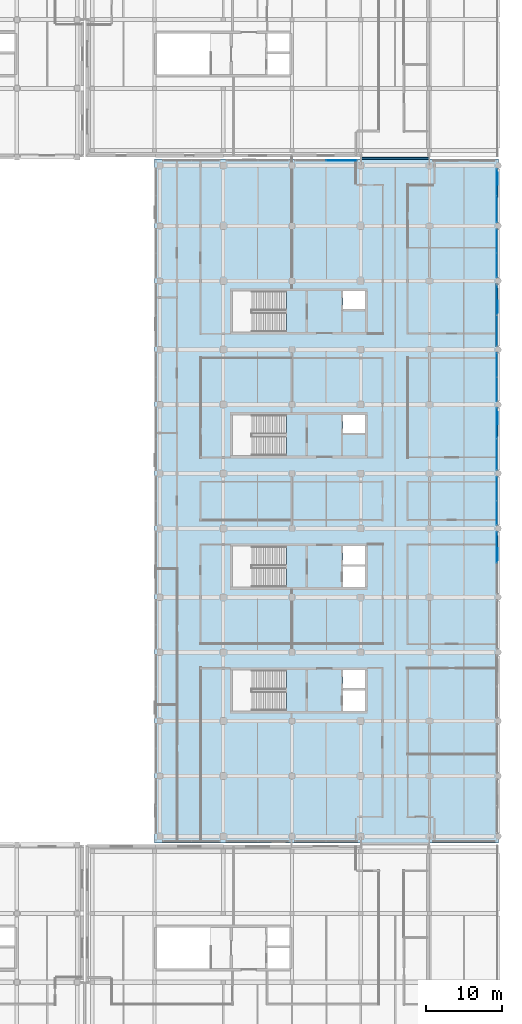
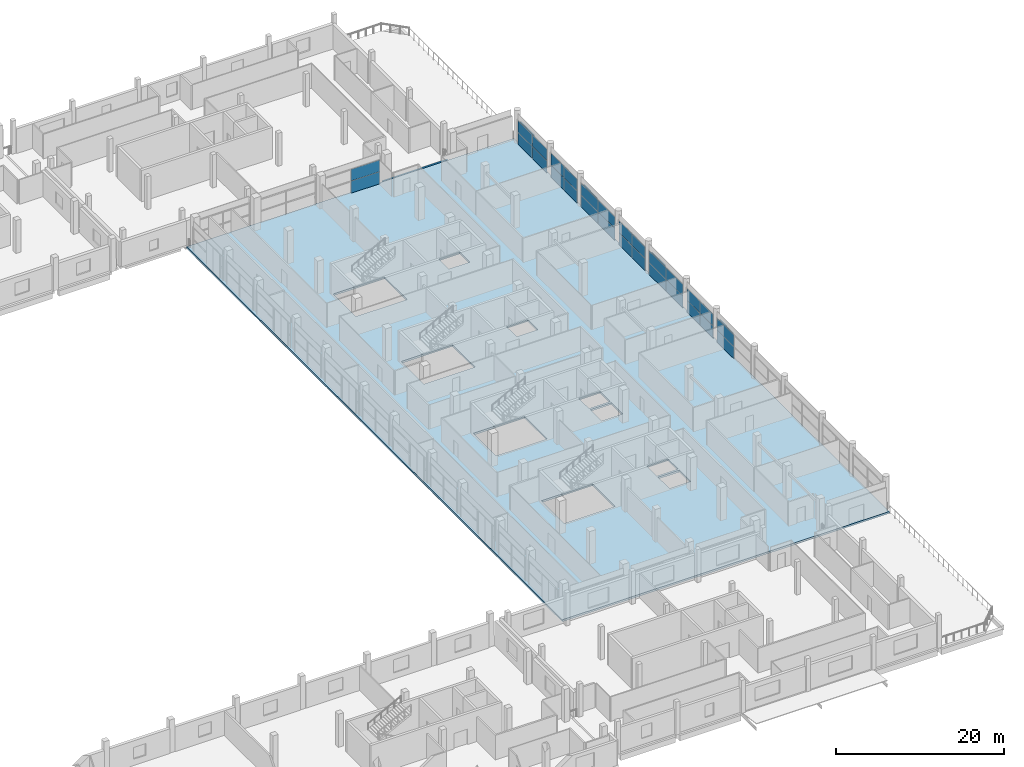
# One storey, part 59 of 111: 36 plates, 2 slabs, 8 elements without a shape of their own.
"""IFC4 building model written with IfcOpenShell, lengths in metres."""

from ifc_helpers import new_model, si_unit, direction, frame, origin, origin_2d, place, context, subcontext, project, spatial, polyline, rectangle, outline, extrude, material, layer, layer_set, type_object, element, aggregate, save


model = new_model("IFC4")

# Units and contexts
model_context = context("Model", 3, precision=1e-05, world=origin(), true_north=direction((0.0, 1.0)))
body_context = subcontext(model_context, "Body", "Model", "MODEL_VIEW")
ifc_project = project(units=[si_unit("LENGTHUNIT", "METRE"), si_unit("AREAUNIT", "SQUARE_METRE"), si_unit("VOLUMEUNIT", "CUBIC_METRE"), si_unit("PLANEANGLEUNIT", "RADIAN"), si_unit("MASSUNIT", "GRAM", prefix="KILO"), si_unit("THERMODYNAMICTEMPERATUREUNIT", "KELVIN"), si_unit("POWERUNIT", "WATT")], contexts=[model_context])

# Site, building, storey
site_placement = place(None, origin())
site = spatial("IfcSite", under=ifc_project, at=site_placement, CompositionType="ELEMENT")
building_placement = place(site_placement, origin())
building = spatial("IfcBuilding", under=site, at=building_placement, Name="Sindhuravela Promenade Stadium", CompositionType="ELEMENT")
storey_placement = place(building_placement, frame((0.0, 0.0, 9.60009765625)))
storey = spatial("IfcBuildingStorey", under=building, at=storey_placement, Name="L02", CompositionType="ELEMENT", Elevation=9.60009765625)

# Plates
ifc_material_1 = material(Name="Perforated terracotta celosia brick (15 MPa)", Category="masonry")
ifc_layer_1 = layer(ifc_material_1, 0.090087890625)
ifc_layer_set_1 = layer_set([ifc_layer_1], Name="Perforated terracotta celosia brick (15 MPa)")
plate_type_1 = type_object("IfcPlateType", Name="CL-SCR-01", PredefinedType="USERDEFINED", material=ifc_layer_set_1)
for number, where, z_axis, x_axis, name in (
    (1, (215.8798828125, 106.445068359375, -0.000244140625), (0.0, 0.0, 1.0), (0.0, -1.0, 0.0), "Perforated brick celosia screen EAST L02-108"),
    (2, (215.8798828125, 74.044921875, -0.000244140625), (0.0, 0.0, 1.0), (0.0, -1.0, 0.0), "Perforated brick celosia screen EAST L02-112"),
):
    element("IfcPlate", number, at=place(storey_placement, frame(where, z_axis=z_axis, x_axis=x_axis)), inside=storey, type_object=plate_type_1, Name=name, ObjectType="SCREEN PANEL", PredefinedType="USERDEFINED", context=body_context, shape_type="SweptSolid", body=[
        extrude(rectangle(XDim=1.56005859375, YDim=0.090087890625, at=origin_2d()), origin(), (0.0, 0.0, 1.0), 3.580078125),
    ])
ifc_layer_2 = layer(ifc_material_1, 0.114990234375)
ifc_layer_set_2 = layer_set([ifc_layer_2], Name="Perforated terracotta celosia brick (15 MPa)")
plate_type_2 = type_object("IfcPlateType", Name="CL-SCR-02", PredefinedType="USERDEFINED", material=ifc_layer_set_2)
for number, where, z_axis, x_axis, name in (
    (3, (215.8798828125, 123.14501953125, -0.000244140625), (0.0, 0.0, 1.0), (0.0, -1.0, 0.0), "Perforated brick celosia screen EAST L02-105"),
    (4, (215.8798828125, 91.844970703125, -0.000244140625), (0.0, 0.0, 1.0), (0.0, -1.0, 0.0), "Perforated brick celosia screen EAST L02-109"),
):
    element("IfcPlate", number, at=place(storey_placement, frame(where, z_axis=z_axis, x_axis=x_axis)), inside=storey, type_object=plate_type_2, Name=name, ObjectType="SCREEN PANEL", PredefinedType="USERDEFINED", context=body_context, shape_type="SweptSolid", body=[
        extrude(rectangle(XDim=1.56005859375, YDim=0.114990234375, at=origin_2d()), origin(), (0.0, 0.0, 1.0), 3.580078125),
    ])
ifc_layer_3 = layer(ifc_material_1, 0.139892578125)
ifc_layer_set_3 = layer_set([ifc_layer_3], Name="Perforated terracotta celosia brick (15 MPa)")
plate_type_3 = type_object("IfcPlateType", Name="CL-SCR-03", PredefinedType="USERDEFINED", material=ifc_layer_set_3)
for number, where, z_axis, x_axis, name in (
    (5, (215.8798828125, 121.544921875, -0.000244140625), (0.0, 0.0, 1.0), (0.0, -1.0, 0.0), "Perforated brick celosia screen EAST L02-106"),
    (6, (215.8798828125, 90.2451171875, -0.000244140625), (0.0, 0.0, 1.0), (0.0, -1.0, 0.0), "Perforated brick celosia screen EAST L02-110"),
):
    element("IfcPlate", number, at=place(storey_placement, frame(where, z_axis=z_axis, x_axis=x_axis)), inside=storey, type_object=plate_type_3, Name=name, ObjectType="SCREEN PANEL", PredefinedType="USERDEFINED", context=body_context, shape_type="SweptSolid", body=[
        extrude(rectangle(XDim=1.56005859375, YDim=0.139892578125, at=origin_2d()), origin(), (0.0, 0.0, 1.0), 3.580078125),
    ])
ifc_layer_4 = layer(ifc_material_1, 0.1650390625)
ifc_layer_set_4 = layer_set([ifc_layer_4], Name="Perforated terracotta celosia brick (15 MPa)")
plate_type_4 = type_object("IfcPlateType", Name="CL-SCR-04", PredefinedType="USERDEFINED", material=ifc_layer_set_4)
for number, where, z_axis, x_axis, name in (
    (7, (215.8798828125, 108.044921875, -0.000244140625), (0.0, 0.0, 1.0), (0.0, -1.0, 0.0), "Perforated brick celosia screen EAST L02-107"),
    (8, (215.8798828125, 75.64501953125, -0.000244140625), (0.0, 0.0, 1.0), (0.0, -1.0, 0.0), "Perforated brick celosia screen EAST L02-111"),
):
    element("IfcPlate", number, at=place(storey_placement, frame(where, z_axis=z_axis, x_axis=x_axis)), inside=storey, type_object=plate_type_4, Name=name, ObjectType="SCREEN PANEL", PredefinedType="USERDEFINED", context=body_context, shape_type="SweptSolid", body=[
        extrude(rectangle(XDim=1.56005859375, YDim=0.1650390625, at=origin_2d()), origin(), (0.0, 0.0, 1.0), 3.580078125),
    ])

# Curtain wall, plates
ifc_material_2 = material(Name="Anodised architectural aluminium 6063-T6", Category="aluminium")
curtain_wall_type_1 = type_object("IfcCurtainWallType", Name="CW-MOD-3", PredefinedType="NOTDEFINED", material=ifc_material_2)
curtain_wall_1_placement = place(storey_placement, origin())
curtain_wall_1 = element("IfcCurtainWall", 9, at=curtain_wall_1_placement, inside=storey, type_object=curtain_wall_type_1, Name="Bronze curtain wall CW-EAST-L02-106", PredefinedType="NOTDEFINED")
ifc_material_3 = material(Name="Tempered laminated low-E glass", Category="glass")
ifc_layer_5 = layer(ifc_material_3, 0.028076171875)
ifc_layer_set_5 = layer_set([ifc_layer_5], Name="Tempered laminated low-E glass")
plate_type_5 = type_object("IfcPlateType", Name="CW-PNL-01", PredefinedType="CURTAIN_PANEL", material=ifc_layer_set_5)
plate_1_placement = place(storey_placement, frame((215.800048828125, 122.699951171875, 0.01513671875), z_axis=(0.0, 0.0, 1.0), x_axis=(0.0, -1.0, 0.0)))
plate_1 = element("IfcPlate", 10, at=plate_1_placement, type_object=plate_type_5, Name="Glazed curtain panel CW-EAST-L02-106-P1.1", PredefinedType="CURTAIN_PANEL", context=body_context, shape_type="SweptSolid", body=[
    extrude(rectangle(XDim=3.43994140625, YDim=0.028076171875, at=origin_2d()), origin(), (0.0, 0.0, 1.0), 1.760009765625),
])
plate_2_placement = place(storey_placement, frame((215.800048828125, 122.699951171875, 1.80517578125), z_axis=(0.0, 0.0, 1.0), x_axis=(0.0, -1.0, 0.0)))
plate_2 = element("IfcPlate", 11, at=plate_2_placement, type_object=plate_type_5, Name="Glazed curtain panel CW-EAST-L02-106-P1.2", PredefinedType="CURTAIN_PANEL", context=body_context, shape_type="SweptSolid", body=[
    extrude(rectangle(XDim=3.43994140625, YDim=0.028076171875, at=origin_2d()), origin(), (0.0, 0.0, 1.0), 1.679931640625),
])
plate_3_placement = place(storey_placement, frame((215.800048828125, 119.199951171875, 0.01513671875), z_axis=(0.0, 0.0, 1.0), x_axis=(0.0, -1.0, 0.0)))
plate_3 = element("IfcPlate", 12, at=plate_3_placement, type_object=plate_type_5, Name="Glazed curtain panel CW-EAST-L02-106-P2.1", PredefinedType="CURTAIN_PANEL", context=body_context, shape_type="SweptSolid", body=[
    extrude(rectangle(XDim=3.43994140625, YDim=0.028076171875, at=origin_2d()), origin(), (0.0, 0.0, 1.0), 1.760009765625),
])
plate_4_placement = place(storey_placement, frame((215.800048828125, 119.199951171875, 1.80517578125), z_axis=(0.0, 0.0, 1.0), x_axis=(0.0, -1.0, 0.0)))
plate_4 = element("IfcPlate", 13, at=plate_4_placement, type_object=plate_type_5, Name="Glazed curtain panel CW-EAST-L02-106-P2.2", PredefinedType="CURTAIN_PANEL", context=body_context, shape_type="SweptSolid", body=[
    extrude(rectangle(XDim=3.43994140625, YDim=0.028076171875, at=origin_2d()), origin(), (0.0, 0.0, 1.0), 1.679931640625),
])
aggregate(curtain_wall_1, [plate_1, plate_2, plate_3, plate_4])

curtain_wall_type_2 = type_object("IfcCurtainWallType", Name="CW-MOD-5", PredefinedType="NOTDEFINED", material=ifc_material_2)
curtain_wall_2_placement = place(storey_placement, origin())
curtain_wall_2 = element("IfcCurtainWall", 14, at=curtain_wall_2_placement, inside=storey, type_object=curtain_wall_type_2, Name="Bronze curtain wall CW-EAST-L02-108", PredefinedType="NOTDEFINED")
plate_5_placement = place(storey_placement, frame((215.800048828125, 107.324951171875, 0.01513671875), z_axis=(0.0, 0.0, 1.0), x_axis=(0.0, -1.0, 0.0)))
plate_5 = element("IfcPlate", 15, at=plate_5_placement, type_object=plate_type_5, Name="Glazed curtain panel CW-EAST-L02-108-P1.1", PredefinedType="CURTAIN_PANEL", context=body_context, shape_type="SweptSolid", body=[
    extrude(rectangle(XDim=3.989990234375, YDim=0.028076171875, at=origin_2d()), origin(), (0.0, 0.0, 1.0), 1.760009765625),
])
plate_6_placement = place(storey_placement, frame((215.800048828125, 107.324951171875, 1.80517578125), z_axis=(0.0, 0.0, 1.0), x_axis=(0.0, -1.0, 0.0)))
plate_6 = element("IfcPlate", 16, at=plate_6_placement, type_object=plate_type_5, Name="Glazed curtain panel CW-EAST-L02-108-P1.2", PredefinedType="CURTAIN_PANEL", context=body_context, shape_type="SweptSolid", body=[
    extrude(rectangle(XDim=3.989990234375, YDim=0.028076171875, at=origin_2d()), origin(), (0.0, 0.0, 1.0), 1.679931640625),
])
plate_7_placement = place(storey_placement, frame((215.800048828125, 103.27490234375, 0.01513671875), z_axis=(0.0, 0.0, 1.0), x_axis=(0.0, -1.0, 0.0)))
plate_7 = element("IfcPlate", 17, at=plate_7_placement, type_object=plate_type_5, Name="Glazed curtain panel CW-EAST-L02-108-P2.1", PredefinedType="CURTAIN_PANEL", context=body_context, shape_type="SweptSolid", body=[
    extrude(rectangle(XDim=3.989990234375, YDim=0.028076171875, at=origin_2d()), origin(), (0.0, 0.0, 1.0), 1.760009765625),
])
plate_8_placement = place(storey_placement, frame((215.800048828125, 103.27490234375, 1.80517578125), z_axis=(0.0, 0.0, 1.0), x_axis=(0.0, -1.0, 0.0)))
plate_8 = element("IfcPlate", 18, at=plate_8_placement, type_object=plate_type_5, Name="Glazed curtain panel CW-EAST-L02-108-P2.2", PredefinedType="CURTAIN_PANEL", context=body_context, shape_type="SweptSolid", body=[
    extrude(rectangle(XDim=3.989990234375, YDim=0.028076171875, at=origin_2d()), origin(), (0.0, 0.0, 1.0), 1.679931640625),
])
aggregate(curtain_wall_2, [plate_5, plate_6, plate_7, plate_8])

curtain_wall_type_3 = type_object("IfcCurtainWallType", Name="CW-MOD-7", PredefinedType="NOTDEFINED", material=ifc_material_2)
curtain_wall_3_placement = place(storey_placement, origin())
curtain_wall_3 = element("IfcCurtainWall", 19, at=curtain_wall_3_placement, inside=storey, type_object=curtain_wall_type_3, Name="Bronze curtain wall CW-EAST-L02-110", PredefinedType="NOTDEFINED")
plate_9_placement = place(storey_placement, frame((215.800048828125, 91.125, 0.01513671875), z_axis=(0.0, 0.0, 1.0), x_axis=(0.0, -1.0, 0.0)))
plate_9 = element("IfcPlate", 20, at=plate_9_placement, type_object=plate_type_5, Name="Glazed curtain panel CW-EAST-L02-110-P1.1", PredefinedType="CURTAIN_PANEL", context=body_context, shape_type="SweptSolid", body=[
    extrude(rectangle(XDim=3.989990234375, YDim=0.028076171875, at=origin_2d()), origin(), (0.0, 0.0, 1.0), 1.760009765625),
])
plate_10_placement = place(storey_placement, frame((215.800048828125, 91.125, 1.80517578125), z_axis=(0.0, 0.0, 1.0), x_axis=(0.0, -1.0, 0.0)))
plate_10 = element("IfcPlate", 21, at=plate_10_placement, type_object=plate_type_5, Name="Glazed curtain panel CW-EAST-L02-110-P1.2", PredefinedType="CURTAIN_PANEL", context=body_context, shape_type="SweptSolid", body=[
    extrude(rectangle(XDim=3.989990234375, YDim=0.028076171875, at=origin_2d()), origin(), (0.0, 0.0, 1.0), 1.679931640625),
])
plate_11_placement = place(storey_placement, frame((215.800048828125, 87.074951171875, 0.01513671875), z_axis=(0.0, 0.0, 1.0), x_axis=(0.0, -1.0, 0.0)))
plate_11 = element("IfcPlate", 22, at=plate_11_placement, type_object=plate_type_5, Name="Glazed curtain panel CW-EAST-L02-110-P2.1", PredefinedType="CURTAIN_PANEL", context=body_context, shape_type="SweptSolid", body=[
    extrude(rectangle(XDim=3.989990234375, YDim=0.028076171875, at=origin_2d()), origin(), (0.0, 0.0, 1.0), 1.760009765625),
])
plate_12_placement = place(storey_placement, frame((215.800048828125, 87.074951171875, 1.80517578125), z_axis=(0.0, 0.0, 1.0), x_axis=(0.0, -1.0, 0.0)))
plate_12 = element("IfcPlate", 23, at=plate_12_placement, type_object=plate_type_5, Name="Glazed curtain panel CW-EAST-L02-110-P2.2", PredefinedType="CURTAIN_PANEL", context=body_context, shape_type="SweptSolid", body=[
    extrude(rectangle(XDim=3.989990234375, YDim=0.028076171875, at=origin_2d()), origin(), (0.0, 0.0, 1.0), 1.679931640625),
])
aggregate(curtain_wall_3, [plate_9, plate_10, plate_11, plate_12])

curtain_wall_type_4 = type_object("IfcCurtainWallType", Name="CW-MOD-1", PredefinedType="NOTDEFINED", material=ifc_material_2)
curtain_wall_4_placement = place(storey_placement, origin())
curtain_wall_4 = element("IfcCurtainWall", 24, at=curtain_wall_4_placement, inside=storey, type_object=curtain_wall_type_4, Name="Bronze curtain wall CW-EAST-L02-112", PredefinedType="NOTDEFINED")
plate_13_placement = place(storey_placement, frame((215.800048828125, 74.925048828125, 0.01513671875), z_axis=(0.0, 0.0, 1.0), x_axis=(0.0, -1.0, 0.0)))
plate_13 = element("IfcPlate", 25, at=plate_13_placement, type_object=plate_type_5, Name="Glazed curtain panel CW-EAST-L02-112-P1.1", PredefinedType="CURTAIN_PANEL", context=body_context, shape_type="SweptSolid", body=[
    extrude(rectangle(XDim=3.989990234375, YDim=0.028076171875, at=origin_2d()), origin(), (0.0, 0.0, 1.0), 1.760009765625),
])
plate_14_placement = place(storey_placement, frame((215.800048828125, 74.925048828125, 1.80517578125), z_axis=(0.0, 0.0, 1.0), x_axis=(0.0, -1.0, 0.0)))
plate_14 = element("IfcPlate", 26, at=plate_14_placement, type_object=plate_type_5, Name="Glazed curtain panel CW-EAST-L02-112-P1.2", PredefinedType="CURTAIN_PANEL", context=body_context, shape_type="SweptSolid", body=[
    extrude(rectangle(XDim=3.989990234375, YDim=0.028076171875, at=origin_2d()), origin(), (0.0, 0.0, 1.0), 1.679931640625),
])
aggregate(curtain_wall_4, [plate_13, plate_14])

curtain_wall_type_5 = type_object("IfcCurtainWallType", Name="CW-MOD-2", PredefinedType="NOTDEFINED", material=ifc_material_2)
curtain_wall_5_placement = place(storey_placement, origin())
curtain_wall_5 = element("IfcCurtainWall", 27, at=curtain_wall_5_placement, inside=storey, type_object=curtain_wall_type_5, Name="Bronze curtain wall CW-EAST-L02-105", PredefinedType="NOTDEFINED")
ifc_layer_6 = layer(ifc_material_3, 0.0400390625)
ifc_layer_set_6 = layer_set([ifc_layer_6], Name="Tempered laminated low-E glass")
plate_type_6 = type_object("IfcPlateType", Name="CW-PNL-02", PredefinedType="CURTAIN_PANEL", material=ifc_layer_set_6)
plate_15_placement = place(storey_placement, frame((195.487548828125, 125.550048828125, 0.01513671875), z_axis=(0.0, 0.0, 1.0), x_axis=(1.0, 0.0, 0.0)))
plate_15 = element("IfcPlate", 28, at=plate_15_placement, type_object=plate_type_6, Name="Glazed curtain panel CW-EAST-L02-105-P2.1", PredefinedType="CURTAIN_PANEL", context=body_context, shape_type="SweptSolid", body=[
    extrude(rectangle(XDim=3.965087890625, YDim=0.0400390625, at=origin_2d()), origin(), (0.0, 0.0, 1.0), 1.760009765625),
])
plate_16_placement = place(storey_placement, frame((195.487548828125, 125.550048828125, 1.80517578125), z_axis=(0.0, 0.0, 1.0), x_axis=(1.0, 0.0, 0.0)))
plate_16 = element("IfcPlate", 29, at=plate_16_placement, type_object=plate_type_6, Name="Glazed curtain panel CW-EAST-L02-105-P2.2", PredefinedType="CURTAIN_PANEL", context=body_context, shape_type="SweptSolid", body=[
    extrude(rectangle(XDim=3.965087890625, YDim=0.0400390625, at=origin_2d()), origin(), (0.0, 0.0, 1.0), 1.679931640625),
])
aggregate(curtain_wall_5, [plate_15, plate_16])

curtain_wall_type_6 = type_object("IfcCurtainWallType", Name="CW-MOD-4", PredefinedType="NOTDEFINED", material=ifc_material_2)
curtain_wall_6_placement = place(storey_placement, origin())
curtain_wall_6 = element("IfcCurtainWall", 30, at=curtain_wall_6_placement, inside=storey, type_object=curtain_wall_type_6, Name="Bronze curtain wall CW-EAST-L02-107", PredefinedType="NOTDEFINED")
plate_17_placement = place(storey_placement, frame((215.800048828125, 114.97509765625, 0.01513671875), z_axis=(0.0, 0.0, 1.0), x_axis=(0.0, -1.0, 0.0)))
plate_17 = element("IfcPlate", 31, at=plate_17_placement, type_object=plate_type_6, Name="Glazed curtain panel CW-EAST-L02-107-P1.1", PredefinedType="CURTAIN_PANEL", context=body_context, shape_type="SweptSolid", body=[
    extrude(rectangle(XDim=3.090087890625, YDim=0.0400390625, at=origin_2d()), origin(), (0.0, 0.0, 1.0), 1.760009765625),
])
plate_18_placement = place(storey_placement, frame((215.800048828125, 114.97509765625, 1.80517578125), z_axis=(0.0, 0.0, 1.0), x_axis=(0.0, -1.0, 0.0)))
plate_18 = element("IfcPlate", 32, at=plate_18_placement, type_object=plate_type_6, Name="Glazed curtain panel CW-EAST-L02-107-P1.2", PredefinedType="CURTAIN_PANEL", context=body_context, shape_type="SweptSolid", body=[
    extrude(rectangle(XDim=3.090087890625, YDim=0.0400390625, at=origin_2d()), origin(), (0.0, 0.0, 1.0), 1.679931640625),
])
plate_19_placement = place(storey_placement, frame((215.800048828125, 111.824951171875, 0.01513671875), z_axis=(0.0, 0.0, 1.0), x_axis=(0.0, -1.0, 0.0)))
plate_19 = element("IfcPlate", 33, at=plate_19_placement, type_object=plate_type_6, Name="Glazed curtain panel CW-EAST-L02-107-P2.1", PredefinedType="CURTAIN_PANEL", context=body_context, shape_type="SweptSolid", body=[
    extrude(rectangle(XDim=3.090087890625, YDim=0.0400390625, at=origin_2d()), origin(), (0.0, 0.0, 1.0), 1.760009765625),
])
plate_20_placement = place(storey_placement, frame((215.800048828125, 111.824951171875, 1.80517578125), z_axis=(0.0, 0.0, 1.0), x_axis=(0.0, -1.0, 0.0)))
plate_20 = element("IfcPlate", 34, at=plate_20_placement, type_object=plate_type_6, Name="Glazed curtain panel CW-EAST-L02-107-P2.2", PredefinedType="CURTAIN_PANEL", context=body_context, shape_type="SweptSolid", body=[
    extrude(rectangle(XDim=3.090087890625, YDim=0.0400390625, at=origin_2d()), origin(), (0.0, 0.0, 1.0), 1.679931640625),
])
aggregate(curtain_wall_6, [plate_17, plate_18, plate_19, plate_20])

curtain_wall_type_7 = type_object("IfcCurtainWallType", Name="CW-MOD-6", PredefinedType="NOTDEFINED", material=ifc_material_2)
curtain_wall_7_placement = place(storey_placement, origin())
curtain_wall_7 = element("IfcCurtainWall", 35, at=curtain_wall_7_placement, inside=storey, type_object=curtain_wall_type_7, Name="Bronze curtain wall CW-EAST-L02-109", PredefinedType="NOTDEFINED")
plate_21_placement = place(storey_placement, frame((215.800048828125, 98.77490234375, 0.01513671875), z_axis=(0.0, 0.0, 1.0), x_axis=(0.0, -1.0, 0.0)))
plate_21 = element("IfcPlate", 36, at=plate_21_placement, type_object=plate_type_6, Name="Glazed curtain panel CW-EAST-L02-109-P1.1", PredefinedType="CURTAIN_PANEL", context=body_context, shape_type="SweptSolid", body=[
    extrude(rectangle(XDim=3.090087890625, YDim=0.0400390625, at=origin_2d()), origin(), (0.0, 0.0, 1.0), 1.760009765625),
])
plate_22_placement = place(storey_placement, frame((215.800048828125, 98.77490234375, 1.80517578125), z_axis=(0.0, 0.0, 1.0), x_axis=(0.0, -1.0, 0.0)))
plate_22 = element("IfcPlate", 37, at=plate_22_placement, type_object=plate_type_6, Name="Glazed curtain panel CW-EAST-L02-109-P1.2", PredefinedType="CURTAIN_PANEL", context=body_context, shape_type="SweptSolid", body=[
    extrude(rectangle(XDim=3.090087890625, YDim=0.0400390625, at=origin_2d()), origin(), (0.0, 0.0, 1.0), 1.679931640625),
])
plate_23_placement = place(storey_placement, frame((215.800048828125, 95.625, 0.01513671875), z_axis=(0.0, 0.0, 1.0), x_axis=(0.0, -1.0, 0.0)))
plate_23 = element("IfcPlate", 38, at=plate_23_placement, type_object=plate_type_6, Name="Glazed curtain panel CW-EAST-L02-109-P2.1", PredefinedType="CURTAIN_PANEL", context=body_context, shape_type="SweptSolid", body=[
    extrude(rectangle(XDim=3.090087890625, YDim=0.0400390625, at=origin_2d()), origin(), (0.0, 0.0, 1.0), 1.760009765625),
])
plate_24_placement = place(storey_placement, frame((215.800048828125, 95.625, 1.80517578125), z_axis=(0.0, 0.0, 1.0), x_axis=(0.0, -1.0, 0.0)))
plate_24 = element("IfcPlate", 39, at=plate_24_placement, type_object=plate_type_6, Name="Glazed curtain panel CW-EAST-L02-109-P2.2", PredefinedType="CURTAIN_PANEL", context=body_context, shape_type="SweptSolid", body=[
    extrude(rectangle(XDim=3.090087890625, YDim=0.0400390625, at=origin_2d()), origin(), (0.0, 0.0, 1.0), 1.679931640625),
])
aggregate(curtain_wall_7, [plate_21, plate_22, plate_23, plate_24])

curtain_wall_type_8 = type_object("IfcCurtainWallType", Name="CW-MOD-8", PredefinedType="NOTDEFINED", material=ifc_material_2)
curtain_wall_8_placement = place(storey_placement, origin())
curtain_wall_8 = element("IfcCurtainWall", 40, at=curtain_wall_8_placement, inside=storey, type_object=curtain_wall_type_8, Name="Bronze curtain wall CW-EAST-L02-111", PredefinedType="NOTDEFINED")
plate_25_placement = place(storey_placement, frame((215.800048828125, 82.574951171875, 0.01513671875), z_axis=(0.0, 0.0, 1.0), x_axis=(0.0, -1.0, 0.0)))
plate_25 = element("IfcPlate", 41, at=plate_25_placement, type_object=plate_type_6, Name="Glazed curtain panel CW-EAST-L02-111-P1.1", PredefinedType="CURTAIN_PANEL", context=body_context, shape_type="SweptSolid", body=[
    extrude(rectangle(XDim=3.090087890625, YDim=0.0400390625, at=origin_2d()), origin(), (0.0, 0.0, 1.0), 1.760009765625),
])
plate_26_placement = place(storey_placement, frame((215.800048828125, 82.574951171875, 1.80517578125), z_axis=(0.0, 0.0, 1.0), x_axis=(0.0, -1.0, 0.0)))
plate_26 = element("IfcPlate", 42, at=plate_26_placement, type_object=plate_type_6, Name="Glazed curtain panel CW-EAST-L02-111-P1.2", PredefinedType="CURTAIN_PANEL", context=body_context, shape_type="SweptSolid", body=[
    extrude(rectangle(XDim=3.090087890625, YDim=0.0400390625, at=origin_2d()), origin(), (0.0, 0.0, 1.0), 1.679931640625),
])
plate_27_placement = place(storey_placement, frame((215.800048828125, 79.425048828125, 0.01513671875), z_axis=(0.0, 0.0, 1.0), x_axis=(0.0, -1.0, 0.0)))
plate_27 = element("IfcPlate", 43, at=plate_27_placement, type_object=plate_type_6, Name="Glazed curtain panel CW-EAST-L02-111-P2.1", PredefinedType="CURTAIN_PANEL", context=body_context, shape_type="SweptSolid", body=[
    extrude(rectangle(XDim=3.090087890625, YDim=0.0400390625, at=origin_2d()), origin(), (0.0, 0.0, 1.0), 1.760009765625),
])
plate_28_placement = place(storey_placement, frame((215.800048828125, 79.425048828125, 1.80517578125), z_axis=(0.0, 0.0, 1.0), x_axis=(0.0, -1.0, 0.0)))
plate_28 = element("IfcPlate", 44, at=plate_28_placement, type_object=plate_type_6, Name="Glazed curtain panel CW-EAST-L02-111-P2.2", PredefinedType="CURTAIN_PANEL", context=body_context, shape_type="SweptSolid", body=[
    extrude(rectangle(XDim=3.090087890625, YDim=0.0400390625, at=origin_2d()), origin(), (0.0, 0.0, 1.0), 1.679931640625),
])
aggregate(curtain_wall_8, [plate_25, plate_26, plate_27, plate_28])

# Slabs
ifc_material_4 = material(Name="Concrete M50", Category="concrete")
ifc_layer_7 = layer(ifc_material_4, 0.360107421875)
ifc_layer_set_7 = layer_set([ifc_layer_7], Name="Concrete M50")
slab_type_1 = type_object("IfcSlabType", Name="SL-BRG-360", PredefinedType="FLOOR", material=ifc_layer_set_7)
slab_1_placement = place(storey_placement, frame((0.0, 0.0, -0.360107421875)))
element("IfcSlab", 45, at=slab_1_placement, inside=storey, type_object=slab_type_1, Name="Concourse link bridge L02 East-NE", PredefinedType="FLOOR", context=body_context, shape_type="SweptSolid", body=[
    extrude(outline(polyline([(198.0, 125.75), (207.0, 125.75), (207.0, 126.0), (198.0, 126.0), (198.0, 125.75)])), origin(), (0.0, 0.0, 1.0), 0.360107421875),
])
ifc_material_5 = material(Name="Concrete M40", Category="concrete")
ifc_layer_8 = layer(ifc_material_5, 0.280029296875)
ifc_layer_set_8 = layer_set([ifc_layer_8], Name="Concrete M40")
slab_type_2 = type_object("IfcSlabType", Name="SL-FLR-280", PredefinedType="FLOOR", material=ifc_layer_set_8)
slab_2_placement = place(storey_placement, frame((0.0, 0.0, -0.280029296875)))
element("IfcSlab", 46, at=slab_2_placement, inside=storey, type_object=slab_type_2, Name="Floor slab EAST L02", PredefinedType="FLOOR", context=body_context, shape_type="SweptSolid", body=[
    extrude(outline(polyline([(171.0, 36.25), (216.0, 36.25), (216.0, 125.75), (171.0, 125.75), (171.0, 36.25)]), holes=[polyline([(181.199951171875, 53.5), (188.249267578125, 53.5), (188.249267578125, 58.89990234375), (181.199951171875, 58.89990234375), (181.199951171875, 53.5)]), polyline([(195.699951171875, 56.5), (198.60009765625, 56.5), (198.60009765625, 58.89990234375), (195.699951171875, 58.89990234375), (195.699951171875, 56.5)]), polyline([(195.699951171875, 53.5), (198.60009765625, 53.5), (198.60009765625, 56.199951171875), (195.699951171875, 56.199951171875), (195.699951171875, 53.5)]), polyline([(181.199951171875, 69.699951171875), (188.249267578125, 69.699951171875), (188.249267578125, 75.10009765625), (181.199951171875, 75.10009765625), (181.199951171875, 69.699951171875)]), polyline([(195.699951171875, 72.699951171875), (198.60009765625, 72.699951171875), (198.60009765625, 75.10009765625), (195.699951171875, 75.10009765625), (195.699951171875, 72.699951171875)]), polyline([(195.699951171875, 69.699951171875), (198.60009765625, 69.699951171875), (198.60009765625, 72.39990234375), (195.699951171875, 72.39990234375), (195.699951171875, 69.699951171875)]), polyline([(181.199951171875, 86.89990234375), (188.249267578125, 86.89990234375), (188.249267578125, 92.300048828125), (181.199951171875, 92.300048828125), (181.199951171875, 86.89990234375)]), polyline([(195.699951171875, 89.89990234375), (198.60009765625, 89.89990234375), (198.60009765625, 92.300048828125), (195.699951171875, 92.300048828125), (195.699951171875, 89.89990234375)]), polyline([(181.199951171875, 103.10009765625), (188.249267578125, 103.10009765625), (188.249267578125, 108.5), (181.199951171875, 108.5), (181.199951171875, 103.10009765625)]), polyline([(195.699951171875, 106.10009765625), (198.60009765625, 106.10009765625), (198.60009765625, 108.5), (195.699951171875, 108.5), (195.699951171875, 106.10009765625)])]), origin(), (0.0, 0.0, 1.0), 0.280029296875),
])

save(model, "model.ifc")
